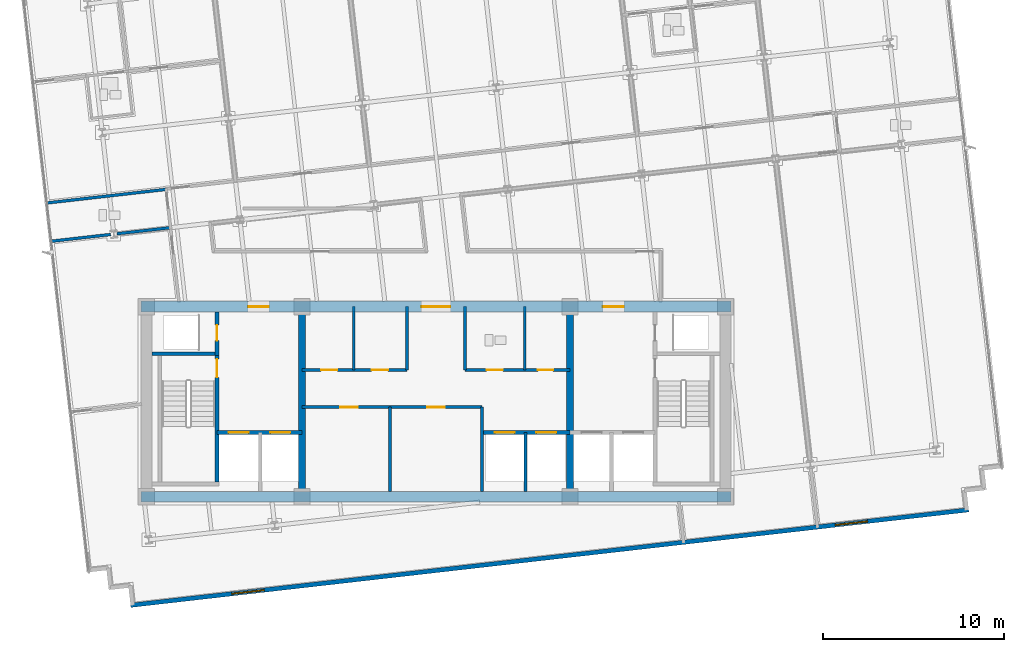
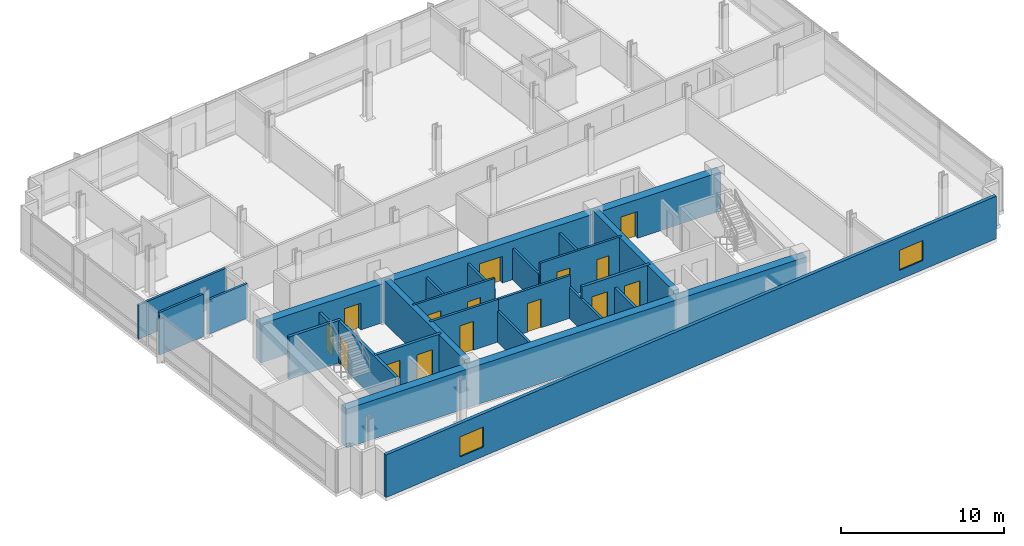
# One storey, part 8 of 15: 24 walls, 15 doors, 2 windows, 17 openings.
"""IFC4 building model written with IfcOpenShell, lengths in metres."""

from ifc_helpers import new_model, si_unit, direction, frame, frame_2d, origin, place, context, subcontext, project, spatial, rectangle, extrude, material, layer, layer_set, type_object, element, fill, save


model = new_model("IFC4")

# Units and contexts
model_context = context("Model", 3, precision=1e-05, world=origin(), true_north=direction((0.0, 1.0)))
body_context = subcontext(model_context, "Body", "Model", "MODEL_VIEW")
ifc_project = project(units=[si_unit("LENGTHUNIT", "METRE"), si_unit("AREAUNIT", "SQUARE_METRE"), si_unit("VOLUMEUNIT", "CUBIC_METRE"), si_unit("PLANEANGLEUNIT", "RADIAN"), si_unit("MASSUNIT", "GRAM", prefix="KILO")], contexts=[model_context])

# Site, building, storey
site_placement = place(None, origin())
site = spatial("IfcSite", under=ifc_project, at=site_placement, CompositionType="ELEMENT")
building_placement = place(site_placement, origin())
building = spatial("IfcBuilding", under=site, at=building_placement, Name="Solmavex Isthmus Hotel", CompositionType="ELEMENT")
storey_placement = place(building_placement, frame((0.0, 0.0, 229.64990234375)))
storey = spatial("IfcBuildingStorey", under=building, at=storey_placement, Name="L62", CompositionType="ELEMENT", Elevation=229.64990234375)

# Wall, openings, windows
ifc_material_1 = material(Name="Precast Concrete C40/50", Category="concrete")
ifc_layer_1 = layer(ifc_material_1, 0.25)
ifc_layer_set_1 = layer_set([ifc_layer_1], Name="Precast Concrete C40/50")
wall_type_1 = type_object("IfcWallType", Name="EW-TWR-250", PredefinedType="STANDARD", material=ifc_layer_set_1)
wall_1_placement = place(storey_placement, frame((-16.86962890625, -18.99951171875, 0.0), z_axis=(0.0, 0.0, 1.0), x_axis=(0.993571588328, 0.113205560228, 0.0)))
wall_1 = element("IfcWall", 1, at=wall_1_placement, inside=storey, type_object=wall_type_1, Name="Tower Rear South Facade Wall L62", PredefinedType="STANDARD", context=body_context, shape_type="SweptSolid", body=[
    extrude(rectangle(XDim=46.60009765625, YDim=0.239990234375, at=frame_2d((23.300048828125, 0.0))), origin(), (0.0, 0.0, 1.0), 3.190185546875),
])
opening_1_placement = place(wall_1_placement, frame((5.6240234375, 0.0, 0.699951171875)))
opening_1 = element("IfcOpeningElement", 2, at=opening_1_placement, cuts=wall_1, Name="Opening WN-02", PredefinedType="OPENING", context=body_context, shape_type="SweptSolid", body=[
    extrude(rectangle(XDim=1.800048828125, YDim=1.5, at=frame_2d((0.89990234375, 0.75))), frame((0.0, 0.1298828125, 0.0), z_axis=(0.0, -1.0, 0.0), x_axis=(1.0, 0.0, 0.0)), (0.0, 0.0, 1.0), 0.260009765625),
])
opening_2_placement = place(wall_1_placement, frame((39.176025390625, 0.0, 0.699951171875)))
opening_2 = element("IfcOpeningElement", 3, at=opening_2_placement, cuts=wall_1, Name="Opening WN-02", PredefinedType="OPENING", context=body_context, shape_type="SweptSolid", body=[
    extrude(rectangle(XDim=1.800048828125, YDim=1.5, at=frame_2d((0.89990234375, 0.75))), frame((0.0, 0.1298828125, 0.0), z_axis=(0.0, -1.0, 0.0), x_axis=(1.0, 0.0, 0.0)), (0.0, 0.0, 1.0), 0.260009765625),
])
ifc_material_2 = material(Name="Clear low-E laminated glass", Category="glass")
window_type = type_object("IfcWindowType", Name="WIN-TWR-1800", PartitioningType="SINGLE_PANEL", PredefinedType="WINDOW", material=ifc_material_2)
window_1_placement = place(opening_1_placement, origin())
window_1 = element("IfcWindow", 4, at=window_1_placement, inside=storey, type_object=window_type, Name="South Facade Vision Window L62-S1", OverallHeight=1.5, OverallWidth=1.800048828125, PartitioningType="SINGLE_PANEL", PredefinedType="WINDOW", context=body_context, shape_type="SweptSolid", body=[
    extrude(rectangle(XDim=1.800048828125, YDim=1.5, at=frame_2d((0.89990234375, 0.75))), frame((0.0, 0.030029296875, 0.0), z_axis=(0.0, -1.0, 0.0), x_axis=(1.0, 0.0, 0.0)), (0.0, 0.0, 1.0), 0.06005859375),
])
fill(opening_1, window_1)
window_2_placement = place(opening_2_placement, origin())
window_2 = element("IfcWindow", 5, at=window_2_placement, inside=storey, type_object=window_type, Name="South Facade Vision Window L62-S2", OverallHeight=1.5, OverallWidth=1.800048828125, PartitioningType="SINGLE_PANEL", PredefinedType="WINDOW", context=body_context, shape_type="SweptSolid", body=[
    extrude(rectangle(XDim=1.800048828125, YDim=1.5, at=frame_2d((0.89990234375, 0.75))), frame((0.0, 0.030029296875, 0.0), z_axis=(0.0, -1.0, 0.0), x_axis=(1.0, 0.0, 0.0)), (0.0, 0.0, 1.0), 0.06005859375),
])
fill(opening_2, window_2)

# Wall, opening, door
ifc_material_3 = material(Name="Gypsum plasterboard lining", Category="gypsum")
ifc_layer_2 = layer(ifc_material_3, 0.159912109375)
ifc_layer_set_2 = layer_set([ifc_layer_2], Name="Gypsum plasterboard lining")
wall_type_2 = type_object("IfcWallType", Name="IW-COMP-160", PredefinedType="PARTITIONING", material=ifc_layer_set_2)
wall_2_placement = place(storey_placement, frame((-7.39990234375, -8.050048828125, 0.0), z_axis=(0.0, 0.0, 1.0), x_axis=(1.0, 0.0, 0.0)))
wall_2 = element("IfcWall", 6, at=wall_2_placement, inside=storey, type_object=wall_type_2, Name="Interior Partition Wall W-L62-REC-PLL-N", PredefinedType="PARTITIONING", context=body_context, shape_type="SweptSolid", body=[
    extrude(rectangle(XDim=4.849853515625, YDim=0.159912109375, at=frame_2d((2.4248046875, 0.0))), origin(), (0.0, 0.0, 1.0), 3.190185546875),
])
opening_3_placement = place(wall_2_placement, frame((2.125, 0.0, 0.0)))
opening_3 = element("IfcOpeningElement", 7, at=opening_3_placement, cuts=wall_2, Name="Opening ID-C095", PredefinedType="OPENING", context=body_context, shape_type="SweptSolid", body=[
    extrude(rectangle(XDim=0.949951171875, YDim=2.14990234375, at=frame_2d((0.47509765625, 1.074951171875))), frame((0.0, 0.08984375, 0.0), z_axis=(0.0, -1.0, 0.0), x_axis=(1.0, 0.0, 0.0)), (0.0, 0.0, 1.0), 0.179931640625),
])
ifc_material_4 = material(Name="Hardwood timber", Category="wood")
door_type_1 = type_object("IfcDoorType", Name="IDR-FD60-0950", OperationType="NOTDEFINED", PredefinedType="DOOR", material=ifc_material_4)
door_1_placement = place(opening_3_placement, origin())
door_1 = element("IfcDoor", 8, at=door_1_placement, inside=storey, type_object=door_type_1, Name="Linen Reserve Door L62", OperationType="SINGLE_SWING_LEFT", OverallHeight=2.14990234375, OverallWidth=0.949951171875, PredefinedType="DOOR", context=body_context, shape_type="SweptSolid", body=[
    extrude(rectangle(XDim=0.949951171875, YDim=2.14990234375, at=frame_2d((0.47509765625, 1.074951171875))), frame((0.0, 0.02490234375, 0.0), z_axis=(0.0, -1.0, 0.0), x_axis=(1.0, 0.0, 0.0)), (0.0, 0.0, 1.0), 0.050048828125),
])
fill(opening_3, door_1)

# Wall
wall_3_placement = place(storey_placement, frame((-2.550048828125, -12.699951171875, 0.0), z_axis=(0.0, 0.0, 1.0), x_axis=(0.0, 1.0, 0.0)))
element("IfcWall", 9, at=wall_3_placement, inside=storey, type_object=wall_type_2, Name="Interior Partition Wall W-L62-REC-PLL-E", PredefinedType="PARTITIONING", context=body_context, shape_type="SweptSolid", body=[
    extrude(rectangle(XDim=4.64990234375, YDim=0.159912109375, at=frame_2d((2.324951171875, 0.0))), origin(), (0.0, 0.0, 1.0), 2.3251953125),
])

# Wall, opening, door
wall_4_placement = place(storey_placement, frame((-2.550048828125, -8.050048828125, 0.0), z_axis=(0.0, 0.0, 1.0), x_axis=(1.0, 0.0, 0.0)))
wall_4 = element("IfcWall", 10, at=wall_4_placement, inside=storey, type_object=wall_type_2, Name="Interior Partition Wall W-L62-REC-PLM-N", PredefinedType="PARTITIONING", context=body_context, shape_type="SweptSolid", body=[
    extrude(rectangle(XDim=5.10009765625, YDim=0.159912109375, at=frame_2d((2.550048828125, 0.0))), origin(), (0.0, 0.0, 1.0), 3.190185546875),
])
opening_4_placement = place(wall_4_placement, frame((2.074951171875, 0.0, 0.0)))
opening_4 = element("IfcOpeningElement", 11, at=opening_4_placement, cuts=wall_4, Name="Opening ID-C095", PredefinedType="OPENING", context=body_context, shape_type="SweptSolid", body=[
    extrude(rectangle(XDim=0.949951171875, YDim=2.14990234375, at=frame_2d((0.47509765625, 1.074951171875))), frame((0.0, 0.08984375, 0.0), z_axis=(0.0, -1.0, 0.0), x_axis=(1.0, 0.0, 0.0)), (0.0, 0.0, 1.0), 0.179931640625),
])
door_2_placement = place(opening_4_placement, origin())
door_2 = element("IfcDoor", 12, at=door_2_placement, inside=storey, type_object=door_type_1, Name="Butler Store Door L62", OperationType="SINGLE_SWING_RIGHT", OverallHeight=2.14990234375, OverallWidth=0.949951171875, PredefinedType="DOOR", context=body_context, shape_type="SweptSolid", body=[
    extrude(rectangle(XDim=0.949951171875, YDim=2.14990234375, at=frame_2d((0.47509765625, 1.074951171875))), frame((0.0, 0.02490234375, 0.0), z_axis=(0.0, -1.0, 0.0), x_axis=(1.0, 0.0, 0.0)), (0.0, 0.0, 1.0), 0.050048828125),
])
fill(opening_4, door_2)

# Walls
wall_5_placement = place(storey_placement, frame((2.550048828125, -12.699951171875, 0.0), z_axis=(0.0, 0.0, 1.0), x_axis=(0.0, 1.0, 0.0)))
element("IfcWall", 13, at=wall_5_placement, inside=storey, type_object=wall_type_2, Name="Interior Partition Wall W-L62-REC-PLM-E", PredefinedType="PARTITIONING", context=body_context, shape_type="SweptSolid", body=[
    extrude(rectangle(XDim=4.64990234375, YDim=0.159912109375, at=frame_2d((2.324951171875, 0.0))), origin(), (0.0, 0.0, 1.0), 2.3251953125),
])
wall_6_placement = place(storey_placement, frame((-14.86865234375, 3.98486328125, 0.0), z_axis=(0.0, 0.0, 1.0), x_axis=(-0.993568743641, -0.113230524415, 0.0)))
element("IfcWall", 14, at=wall_6_placement, inside=storey, type_object=wall_type_2, Name="Interior Partition Wall W-L62-P029", PredefinedType="PARTITIONING", context=body_context, shape_type="SweptSolid", body=[
    extrude(rectangle(XDim=6.7099609375, YDim=0.159912109375, at=frame_2d((3.35498046875, 0.0))), origin(), (0.0, 0.0, 1.0), 2.5576171875),
])
wall_7_placement = place(storey_placement, frame((-17.97216796875, 1.4873046875, 0.0), z_axis=(0.0, 0.0, 1.0), x_axis=(-0.993575433752, -0.113171804991, 0.0)))
element("IfcWall", 15, at=wall_7_placement, inside=storey, type_object=wall_type_2, Name="Interior Partition Wall W-L62-P053", PredefinedType="PARTITIONING", context=body_context, shape_type="SweptSolid", body=[
    extrude(rectangle(XDim=3.34375, YDim=0.159912109375, at=frame_2d((1.671875, 0.0))), origin(), (0.0, 0.0, 1.0), 3.190185546875),
])
wall_8_placement = place(storey_placement, frame((-14.62744140625, 1.868408203125, 0.0), z_axis=(0.0, 0.0, 1.0), x_axis=(-0.993574646464, -0.113178716659, 0.0)))
element("IfcWall", 16, at=wall_8_placement, inside=storey, type_object=wall_type_2, Name="Interior Partition Wall W-L62-P054", PredefinedType="PARTITIONING", context=body_context, shape_type="SweptSolid", body=[
    extrude(rectangle(XDim=3.013427734375, YDim=0.159912109375, at=frame_2d((1.5068359375, 0.0))), origin(), (0.0, 0.0, 1.0), 2.572509765625),
])

# Wall, openings, doors
ifc_layer_3 = layer(ifc_material_3, 0.14990234375)
ifc_layer_set_3 = layer_set([ifc_layer_3], Name="Gypsum plasterboard lining")
wall_type_3 = type_object("IfcWallType", Name="IW-CORR-150", PredefinedType="PARTITIONING", material=ifc_layer_set_3)
wall_9_placement = place(storey_placement, frame((-7.39990234375, -6.0, 0.0), z_axis=(0.0, 0.0, 1.0), x_axis=(1.0, 0.0, 0.0)))
wall_9 = element("IfcWall", 17, at=wall_9_placement, inside=storey, type_object=wall_type_3, Name="Interior Partition Wall W-L62-BOH-WS", PredefinedType="PARTITIONING", context=body_context, shape_type="SweptSolid", body=[
    extrude(rectangle(XDim=5.7998046875, YDim=0.14990234375, at=frame_2d((2.89990234375, 0.0))), origin(), (0.0, 0.0, 1.0), 3.190185546875),
])
opening_5_placement = place(wall_9_placement, frame((1.050048828125, 0.0, 0.0)))
opening_5 = element("IfcOpeningElement", 18, at=opening_5_placement, cuts=wall_9, Name="Opening ID-C090", PredefinedType="OPENING", context=body_context, shape_type="SweptSolid", body=[
    extrude(rectangle(XDim=0.89990234375, YDim=2.10009765625, at=frame_2d((0.449951171875, 1.050048828125))), frame((0.0, 0.0849609375, 0.0), z_axis=(0.0, -1.0, 0.0), x_axis=(1.0, 0.0, 0.0)), (0.0, 0.0, 1.0), 0.169921875),
])
opening_6_placement = place(wall_9_placement, frame((3.85009765625, 0.0, 0.0)))
opening_6 = element("IfcOpeningElement", 19, at=opening_6_placement, cuts=wall_9, Name="Opening ID-C090", PredefinedType="OPENING", context=body_context, shape_type="SweptSolid", body=[
    extrude(rectangle(XDim=0.89990234375, YDim=2.10009765625, at=frame_2d((0.449951171875, 1.050048828125))), frame((0.0, 0.0849609375, 0.0), z_axis=(0.0, -1.0, 0.0), x_axis=(1.0, 0.0, 0.0)), (0.0, 0.0, 1.0), 0.169921875),
])
door_type_2 = type_object("IfcDoorType", Name="IDR-FD60-0900", OperationType="NOTDEFINED", PredefinedType="DOOR", material=ifc_material_4)
door_3_placement = place(opening_5_placement, frame((0.89990234375, 0.0, 0.0), z_axis=(0.0, 0.0, 1.0), x_axis=(-1.0, 0.0, 0.0)))
door_3 = element("IfcDoor", 20, at=door_3_placement, inside=storey, type_object=door_type_2, Name="Linen Room Door L62", OperationType="SINGLE_SWING_LEFT", OverallHeight=2.10009765625, OverallWidth=0.89990234375, PredefinedType="DOOR", context=body_context, shape_type="SweptSolid", body=[
    extrude(rectangle(XDim=0.89990234375, YDim=2.10009765625, at=frame_2d((0.449951171875, 1.050048828125))), frame((0.0, 0.02490234375, 0.0), z_axis=(0.0, -1.0, 0.0), x_axis=(1.0, 0.0, 0.0)), (0.0, 0.0, 1.0), 0.050048828125),
])
fill(opening_5, door_3)
door_4_placement = place(opening_6_placement, frame((0.89990234375, 0.0, 0.0), z_axis=(0.0, 0.0, 1.0), x_axis=(-1.0, 0.0, 0.0)))
door_4 = element("IfcDoor", 21, at=door_4_placement, inside=storey, type_object=door_type_2, Name="Ice Pantry Door L62", OperationType="SINGLE_SWING_RIGHT", OverallHeight=2.10009765625, OverallWidth=0.89990234375, PredefinedType="DOOR", context=body_context, shape_type="SweptSolid", body=[
    extrude(rectangle(XDim=0.89990234375, YDim=2.10009765625, at=frame_2d((0.449951171875, 1.050048828125))), frame((0.0, 0.02490234375, 0.0), z_axis=(0.0, -1.0, 0.0), x_axis=(1.0, 0.0, 0.0)), (0.0, 0.0, 1.0), 0.050048828125),
])
fill(opening_6, door_4)

# Wall
wall_10_placement = place(storey_placement, frame((-1.60009765625, -6.0, 0.0), z_axis=(0.0, 0.0, 1.0), x_axis=(0.0, 1.0, 0.0)))
element("IfcWall", 22, at=wall_10_placement, inside=storey, type_object=wall_type_3, Name="Interior Partition Wall W-L62-BOH-WE", PredefinedType="PARTITIONING", context=body_context, shape_type="SweptSolid", body=[
    extrude(rectangle(XDim=3.5, YDim=0.14990234375, at=frame_2d((1.75, 0.0))), origin(), (0.0, 0.0, 1.0), 2.3251953125),
])

# Wall, openings, doors
wall_11_placement = place(storey_placement, frame((1.60009765625, -6.0, 0.0), z_axis=(0.0, 0.0, 1.0), x_axis=(1.0, 0.0, 0.0)))
wall_11 = element("IfcWall", 23, at=wall_11_placement, inside=storey, type_object=wall_type_3, Name="Interior Partition Wall W-L62-BOH-ES", PredefinedType="PARTITIONING", context=body_context, shape_type="SweptSolid", body=[
    extrude(rectangle(XDim=5.7998046875, YDim=0.14990234375, at=frame_2d((2.89990234375, 0.0))), origin(), (0.0, 0.0, 1.0), 3.190185546875),
])
opening_7_placement = place(wall_11_placement, frame((1.199951171875, 0.0, 0.0)))
opening_7 = element("IfcOpeningElement", 24, at=opening_7_placement, cuts=wall_11, Name="Opening ID-C090", PredefinedType="OPENING", context=body_context, shape_type="SweptSolid", body=[
    extrude(rectangle(XDim=0.89990234375, YDim=2.10009765625, at=frame_2d((0.449951171875, 1.050048828125))), frame((0.0, 0.0849609375, 0.0), z_axis=(0.0, -1.0, 0.0), x_axis=(1.0, 0.0, 0.0)), (0.0, 0.0, 1.0), 0.169921875),
])
opening_8_placement = place(wall_11_placement, frame((4.02490234375, 0.0, 0.0)))
opening_8 = element("IfcOpeningElement", 25, at=opening_8_placement, cuts=wall_11, Name="Opening ID-R085", PredefinedType="OPENING", context=body_context, shape_type="SweptSolid", body=[
    extrude(rectangle(XDim=0.85009765625, YDim=2.050048828125, at=frame_2d((0.425048828125, 1.02490234375))), frame((0.0, 0.0849609375, 0.0), z_axis=(0.0, -1.0, 0.0), x_axis=(1.0, 0.0, 0.0)), (0.0, 0.0, 1.0), 0.169921875),
])
ifc_material_5 = material(Name="Steel ASTM A500 Grade C", Category="steel")
door_type_3 = type_object("IfcDoorType", Name="IDR-FD60-0850", OperationType="NOTDEFINED", PredefinedType="DOOR", material=ifc_material_5)
door_5_placement = place(opening_8_placement, frame((0.85009765625, 0.0, 0.0), z_axis=(0.0, 0.0, 1.0), x_axis=(-1.0, 0.0, 0.0)))
door_5 = element("IfcDoor", 26, at=door_5_placement, inside=storey, type_object=door_type_3, Name="IT Room Door L62", OperationType="SINGLE_SWING_RIGHT", OverallHeight=2.050048828125, OverallWidth=0.85009765625, PredefinedType="DOOR", context=body_context, shape_type="SweptSolid", body=[
    extrude(rectangle(XDim=0.85009765625, YDim=2.050048828125, at=frame_2d((0.425048828125, 1.02490234375))), frame((0.0, 0.02490234375, 0.0), z_axis=(0.0, -1.0, 0.0), x_axis=(1.0, 0.0, 0.0)), (0.0, 0.0, 1.0), 0.050048828125),
])
fill(opening_8, door_5)
door_6_placement = place(opening_7_placement, frame((0.89990234375, 0.0, 0.0), z_axis=(0.0, 0.0, 1.0), x_axis=(-1.0, 0.0, 0.0)))
door_6 = element("IfcDoor", 27, at=door_6_placement, inside=storey, type_object=door_type_2, Name="Staff Restroom Door L62", OperationType="SINGLE_SWING_LEFT", OverallHeight=2.10009765625, OverallWidth=0.89990234375, PredefinedType="DOOR", context=body_context, shape_type="SweptSolid", body=[
    extrude(rectangle(XDim=0.89990234375, YDim=2.10009765625, at=frame_2d((0.449951171875, 1.050048828125))), frame((0.0, 0.02490234375, 0.0), z_axis=(0.0, -1.0, 0.0), x_axis=(1.0, 0.0, 0.0)), (0.0, 0.0, 1.0), 0.050048828125),
])
fill(opening_7, door_6)

# Walls
wall_12_placement = place(storey_placement, frame((1.60009765625, -6.0, 0.0), z_axis=(0.0, 0.0, 1.0), x_axis=(0.0, 1.0, 0.0)))
element("IfcWall", 28, at=wall_12_placement, inside=storey, type_object=wall_type_3, Name="Interior Partition Wall W-L62-BOH-EW", PredefinedType="PARTITIONING", context=body_context, shape_type="SweptSolid", body=[
    extrude(rectangle(XDim=3.5, YDim=0.14990234375, at=frame_2d((1.75, 0.0))), origin(), (0.0, 0.0, 1.0), 2.3251953125),
])
ifc_layer_4 = layer(ifc_material_3, 0.1201171875)
ifc_layer_set_4 = layer_set([ifc_layer_4], Name="Gypsum plasterboard lining")
wall_type_4 = type_object("IfcWallType", Name="IW-PART-120", PredefinedType="PARTITIONING", material=ifc_layer_set_4)
for number, where, z_axis, x_axis, name in (
    (29, (-4.550048828125, -6.0, 0.0), (0.0, 0.0, 1.0), (0.0, 1.0, 0.0), "Interior Partition Wall W-L62-BOH-WM2"),
    (30, (4.89990234375, -6.0, 0.0), (0.0, 0.0, 1.0), (0.0, 1.0, 0.0), "Interior Partition Wall W-L62-BOH-EM2"),
):
    element("IfcWall", number, at=place(storey_placement, frame(where, z_axis=z_axis, x_axis=x_axis)), inside=storey, type_object=wall_type_4, Name=name, PredefinedType="PARTITIONING", context=body_context, shape_type="SweptSolid", body=[
        extrude(rectangle(XDim=3.5, YDim=0.14990234375, at=frame_2d((1.75, 0.0))), origin(), (0.0, 0.0, 1.0), 2.3251953125),
    ])
ifc_material_6 = material(Name="Concrete C40/50", Category="concrete")
ifc_layer_5 = layer(ifc_material_6, 0.179931640625)
ifc_layer_set_5 = layer_set([ifc_layer_5], Name="Concrete C40/50")
wall_type_5 = type_object("IfcWallType", Name="IW-SHAFT-180", PredefinedType="PARTITIONING", material=ifc_layer_set_5)
wall_13_placement = place(storey_placement, frame((4.949951171875, -12.699951171875, 0.0), z_axis=(0.0, 0.0, 1.0), x_axis=(0.0, 1.0, 0.0)))
element("IfcWall", 31, at=wall_13_placement, inside=storey, type_object=wall_type_5, Name="Interior Partition Wall W-L62-SH-PLH-M", PredefinedType="PARTITIONING", context=body_context, shape_type="SweptSolid", body=[
    extrude(rectangle(XDim=3.25, YDim=0.179931640625, at=frame_2d((1.625, 0.0))), origin(), (0.0, 0.0, 1.0), 2.3251953125),
])

# Wall, opening, door
ifc_layer_6 = layer(ifc_material_6, 0.199951171875)
ifc_layer_set_6 = layer_set([ifc_layer_6], Name="Concrete C40/50")
wall_type_6 = type_object("IfcWallType", Name="IW-SHAFT-200", PredefinedType="PARTITIONING", material=ifc_layer_set_6)
wall_14_placement = place(storey_placement, frame((-12.10009765625, -5.199951171875, 0.0), z_axis=(0.0, 0.0, 1.0), x_axis=(0.0, 1.0, 0.0)))
wall_14 = element("IfcWall", 32, at=wall_14_placement, inside=storey, type_object=wall_type_6, Name="Interior Partition Wall W-L62-RSW-E", PredefinedType="PARTITIONING", context=body_context, shape_type="SweptSolid", body=[
    extrude(rectangle(XDim=2.39990234375, YDim=0.199951171875, at=frame_2d((1.199951171875, 0.0))), origin(), (0.0, 0.0, 1.0), 2.3251953125),
])
opening_9_placement = place(wall_14_placement, frame((0.824951171875, 0.0, 0.0)))
opening_9 = element("IfcOpeningElement", 33, at=opening_9_placement, cuts=wall_14, Name="Opening ID-R085", PredefinedType="OPENING", context=body_context, shape_type="SweptSolid", body=[
    extrude(rectangle(XDim=0.85009765625, YDim=2.050048828125, at=frame_2d((0.425048828125, 1.02490234375))), frame((0.0, 0.10986328125, 0.0), z_axis=(0.0, -1.0, 0.0), x_axis=(1.0, 0.0, 0.0)), (0.0, 0.0, 1.0), 0.219970703125),
])
door_7_placement = place(opening_9_placement, origin())
door_7 = element("IfcDoor", 34, at=door_7_placement, inside=storey, type_object=door_type_3, Name="Electrical Riser Door L62", OperationType="SINGLE_SWING_RIGHT", OverallHeight=2.050048828125, OverallWidth=0.85009765625, PredefinedType="DOOR", context=body_context, shape_type="SweptSolid", body=[
    extrude(rectangle(XDim=0.85009765625, YDim=2.050048828125, at=frame_2d((0.425048828125, 1.02490234375))), frame((0.0, 0.02490234375, 0.0), z_axis=(0.0, -1.0, 0.0), x_axis=(1.0, 0.0, 0.0)), (0.0, 0.0, 1.0), 0.050048828125),
])
fill(opening_9, door_7)

# Wall, openings, doors
wall_15_placement = place(storey_placement, frame((-12.10009765625, -9.449951171875, 0.0), z_axis=(0.0, 0.0, 1.0), x_axis=(1.0, 0.0, 0.0)))
wall_15 = element("IfcWall", 35, at=wall_15_placement, inside=storey, type_object=wall_type_6, Name="Interior Partition Wall W-L62-FFLW-S", PredefinedType="PARTITIONING", context=body_context, shape_type="SweptSolid", body=[
    extrude(rectangle(XDim=4.7001953125, YDim=0.199951171875, at=frame_2d((2.35009765625, 0.0))), origin(), (0.0, 0.0, 1.0), 3.190185546875),
])
opening_10_placement = place(wall_15_placement, frame((0.64990234375, 0.0, 0.0)))
opening_10 = element("IfcOpeningElement", 36, at=opening_10_placement, cuts=wall_15, Name="Opening LD-FF", PredefinedType="OPENING", context=body_context, shape_type="SweptSolid", body=[
    extrude(rectangle(XDim=1.10009765625, YDim=2.199951171875, at=frame_2d((0.550048828125, 1.10009765625))), frame((0.0, 0.10986328125, 0.0), z_axis=(0.0, -1.0, 0.0), x_axis=(1.0, 0.0, 0.0)), (0.0, 0.0, 1.0), 0.219970703125),
])
opening_11_placement = place(wall_15_placement, frame((2.949951171875, 0.0, 0.0)))
opening_11 = element("IfcOpeningElement", 37, at=opening_11_placement, cuts=wall_15, Name="Opening LD-SV", PredefinedType="OPENING", context=body_context, shape_type="SweptSolid", body=[
    extrude(rectangle(XDim=1.10009765625, YDim=2.199951171875, at=frame_2d((0.550048828125, 1.10009765625))), frame((0.0, 0.10986328125, 0.0), z_axis=(0.0, -1.0, 0.0), x_axis=(1.0, 0.0, 0.0)), (0.0, 0.0, 1.0), 0.219970703125),
])
ifc_material_7 = material(Name="Stainless steel 316", Category="steel")
door_type_4 = type_object("IfcDoorType", Name="LDR-FF-1100", OperationType="NOTDEFINED", PredefinedType="DOOR", material=ifc_material_7)
door_8_placement = place(opening_10_placement, origin())
door_8 = element("IfcDoor", 38, at=door_8_placement, inside=storey, type_object=door_type_4, Name="Lift Landing Door FFL-1 L62", OperationType="SLIDING_TO_LEFT", OverallHeight=2.199951171875, OverallWidth=1.10009765625, PredefinedType="DOOR", context=body_context, shape_type="SweptSolid", body=[
    extrude(rectangle(XDim=1.10009765625, YDim=2.199951171875, at=frame_2d((0.550048828125, 1.10009765625))), frame((0.0, 0.02490234375, 0.0), z_axis=(0.0, -1.0, 0.0), x_axis=(1.0, 0.0, 0.0)), (0.0, 0.0, 1.0), 0.050048828125),
])
fill(opening_10, door_8)
door_type_5 = type_object("IfcDoorType", Name="LDR-SV-1100", OperationType="NOTDEFINED", PredefinedType="DOOR", material=ifc_material_7)
door_9_placement = place(opening_11_placement, origin())
door_9 = element("IfcDoor", 39, at=door_9_placement, inside=storey, type_object=door_type_5, Name="Lift Landing Door SVL-1 L62", OperationType="SLIDING_TO_RIGHT", OverallHeight=2.199951171875, OverallWidth=1.10009765625, PredefinedType="DOOR", context=body_context, shape_type="SweptSolid", body=[
    extrude(rectangle(XDim=1.10009765625, YDim=2.199951171875, at=frame_2d((0.550048828125, 1.10009765625))), frame((0.0, 0.02490234375, 0.0), z_axis=(0.0, -1.0, 0.0), x_axis=(1.0, 0.0, 0.0)), (0.0, 0.0, 1.0), 0.050048828125),
])
fill(opening_11, door_9)

wall_16_placement = place(storey_placement, frame((2.550048828125, -9.449951171875, 0.0), z_axis=(0.0, 0.0, 1.0), x_axis=(1.0, 0.0, 0.0)))
wall_16 = element("IfcWall", 40, at=wall_16_placement, inside=storey, type_object=wall_type_6, Name="Interior Partition Wall W-L62-SH-PLH", PredefinedType="PARTITIONING", context=body_context, shape_type="SweptSolid", body=[
    extrude(rectangle(XDim=4.849853515625, YDim=0.199951171875, at=frame_2d((2.4248046875, 0.0))), origin(), (0.0, 0.0, 1.0), 3.190185546875),
])
opening_12_placement = place(wall_16_placement, frame((0.699951171875, 0.0, 0.0)))
opening_12 = element("IfcOpeningElement", 41, at=opening_12_placement, cuts=wall_16, Name="Opening LD-PL", PredefinedType="OPENING", context=body_context, shape_type="SweptSolid", body=[
    extrude(rectangle(XDim=1.10009765625, YDim=2.199951171875, at=frame_2d((0.550048828125, 1.10009765625))), frame((0.0, 0.10986328125, 0.0), z_axis=(0.0, -1.0, 0.0), x_axis=(1.0, 0.0, 0.0)), (0.0, 0.0, 1.0), 0.219970703125),
])
opening_13_placement = place(wall_16_placement, frame((3.0, 0.0, 0.0)))
opening_13 = element("IfcOpeningElement", 42, at=opening_13_placement, cuts=wall_16, Name="Opening LD-PL", PredefinedType="OPENING", context=body_context, shape_type="SweptSolid", body=[
    extrude(rectangle(XDim=1.10009765625, YDim=2.199951171875, at=frame_2d((0.550048828125, 1.10009765625))), frame((0.0, 0.10986328125, 0.0), z_axis=(0.0, -1.0, 0.0), x_axis=(1.0, 0.0, 0.0)), (0.0, 0.0, 1.0), 0.219970703125),
])
door_type_6 = type_object("IfcDoorType", Name="LDR-PL-1100", OperationType="NOTDEFINED", PredefinedType="DOOR", material=ifc_material_7)
door_10_placement = place(opening_12_placement, origin())
door_10 = element("IfcDoor", 43, at=door_10_placement, inside=storey, type_object=door_type_6, Name="Lift Landing Door PLH1 L62", OperationType="SLIDING_TO_LEFT", OverallHeight=2.199951171875, OverallWidth=1.10009765625, PredefinedType="DOOR", context=body_context, shape_type="SweptSolid", body=[
    extrude(rectangle(XDim=1.10009765625, YDim=2.199951171875, at=frame_2d((0.550048828125, 1.10009765625))), frame((0.0, 0.02490234375, 0.0), z_axis=(0.0, -1.0, 0.0), x_axis=(1.0, 0.0, 0.0)), (0.0, 0.0, 1.0), 0.050048828125),
])
fill(opening_12, door_10)
door_11_placement = place(opening_13_placement, origin())
door_11 = element("IfcDoor", 44, at=door_11_placement, inside=storey, type_object=door_type_6, Name="Lift Landing Door PLH2 L62", OperationType="SLIDING_TO_LEFT", OverallHeight=2.199951171875, OverallWidth=1.10009765625, PredefinedType="DOOR", context=body_context, shape_type="SweptSolid", body=[
    extrude(rectangle(XDim=1.10009765625, YDim=2.199951171875, at=frame_2d((0.550048828125, 1.10009765625))), frame((0.0, 0.02490234375, 0.0), z_axis=(0.0, -1.0, 0.0), x_axis=(1.0, 0.0, 0.0)), (0.0, 0.0, 1.0), 0.050048828125),
])
fill(opening_13, door_11)

# Walls
ifc_material_8 = material(Name="Concrete C50/60", Category="concrete")
ifc_layer_7 = layer(ifc_material_8, 0.39990234375)
ifc_layer_set_7 = layer_set([ifc_layer_7], Name="Concrete C50/60")
wall_type_7 = type_object("IfcWallType", Name="WALL-CW-400H", PredefinedType="SHEAR", material=ifc_layer_set_7)
for number, where, z_axis, x_axis, name in (
    (45, (-7.39990234375, -12.699951171875, 0.0), (0.0, 0.0, 1.0), (0.0, 1.0, 0.0), "Core Cross Shear Wall C1 L62"),
    (46, (7.39990234375, -12.699951171875, 0.0), (0.0, 0.0, 1.0), (0.0, 1.0, 0.0), "Core Cross Shear Wall C2 L62"),
):
    element("IfcWall", number, at=place(storey_placement, frame(where, z_axis=z_axis, x_axis=x_axis)), inside=storey, type_object=wall_type_7, Name=name, PredefinedType="SHEAR", context=body_context, shape_type="SweptSolid", body=[
        extrude(rectangle(XDim=9.89990234375, YDim=0.39990234375, at=frame_2d((4.949951171875, 0.0))), origin(), (0.0, 0.0, 1.0), 3.190185546875),
    ])
ifc_layer_8 = layer(ifc_material_8, 0.60009765625)
ifc_layer_set_8 = layer_set([ifc_layer_8], Name="Concrete C50/60")
wall_type_8 = type_object("IfcWallType", Name="WALL-CW-600", PredefinedType="SHEAR", material=ifc_layer_set_8)
wall_17_placement = place(storey_placement, frame((-16.300048828125, -13.0, 0.0), z_axis=(0.0, 0.0, 1.0), x_axis=(1.0, 0.0, 0.0)))
element("IfcWall", 47, at=wall_17_placement, inside=storey, type_object=wall_type_8, Name="Core Shear Wall South L62", PredefinedType="SHEAR", context=body_context, shape_type="SweptSolid", body=[
    extrude(rectangle(XDim=32.60009765625, YDim=0.60009765625, at=frame_2d((16.300048828125, 0.0))), origin(), (0.0, 0.0, 1.0), 2.91015625),
])

# Wall, openings, doors
wall_18_placement = place(storey_placement, frame((-16.300048828125, -2.5, 0.0), z_axis=(0.0, 0.0, 1.0), x_axis=(1.0, 0.0, 0.0)))
wall_18 = element("IfcWall", 48, at=wall_18_placement, inside=storey, type_object=wall_type_8, Name="Core Shear Wall North L62", PredefinedType="SHEAR", context=body_context, shape_type="SweptSolid", body=[
    extrude(rectangle(XDim=32.60009765625, YDim=0.60009765625, at=frame_2d((16.300048828125, 0.0))), origin(), (0.0, 0.0, 1.0), 2.91015625),
])
opening_14_placement = place(wall_18_placement, frame((5.925048828125, 0.0, 0.0)))
opening_14 = element("IfcOpeningElement", 49, at=opening_14_placement, cuts=wall_18, Name="Opening ID-F915", PredefinedType="OPENING", context=body_context, shape_type="SweptSolid", body=[
    extrude(rectangle(XDim=1.14990234375, YDim=2.0, at=frame_2d((0.574951171875, 1.0))), frame((0.0, 0.31005859375, 0.0), z_axis=(0.0, -1.0, 0.0), x_axis=(1.0, 0.0, 0.0)), (0.0, 0.0, 1.0), 0.6201171875),
])
opening_15_placement = place(wall_18_placement, frame((15.5, 0.0, 0.0)))
opening_15 = element("IfcOpeningElement", 50, at=opening_15_placement, cuts=wall_18, Name="Opening ID-F960", PredefinedType="OPENING", context=body_context, shape_type="SweptSolid", body=[
    extrude(rectangle(XDim=1.60009765625, YDim=2.0, at=frame_2d((0.800048828125, 1.0))), frame((0.0, 0.31005859375, 0.0), z_axis=(0.0, -1.0, 0.0), x_axis=(1.0, 0.0, 0.0)), (0.0, 0.0, 1.0), 0.6201171875),
])
opening_16_placement = place(wall_18_placement, frame((25.52490234375, 0.0, 0.0)))
opening_16 = element("IfcOpeningElement", 51, at=opening_16_placement, cuts=wall_18, Name="Opening ID-F915", PredefinedType="OPENING", context=body_context, shape_type="SweptSolid", body=[
    extrude(rectangle(XDim=1.14990234375, YDim=2.0, at=frame_2d((0.574951171875, 1.0))), frame((0.0, 0.31005859375, 0.0), z_axis=(0.0, -1.0, 0.0), x_axis=(1.0, 0.0, 0.0)), (0.0, 0.0, 1.0), 0.6201171875),
])
door_type_7 = type_object("IfcDoorType", Name="IDR-FD90-1150C", OperationType="NOTDEFINED", PredefinedType="DOOR", material=ifc_material_5)
door_12_placement = place(opening_14_placement, origin())
door_12 = element("IfcDoor", 52, at=door_12_placement, inside=storey, type_object=door_type_7, Name="Firefighting Lobby West Exit Door L62", OperationType="SINGLE_SWING_LEFT", OverallHeight=2.0, OverallWidth=1.14990234375, PredefinedType="DOOR", context=body_context, shape_type="SweptSolid", body=[
    extrude(rectangle(XDim=1.14990234375, YDim=2.0, at=frame_2d((0.574951171875, 1.0))), frame((0.0, 0.02490234375, 0.0), z_axis=(0.0, -1.0, 0.0), x_axis=(1.0, 0.0, 0.0)), (0.0, 0.0, 1.0), 0.050048828125),
])
fill(opening_14, door_12)
door_13_placement = place(opening_16_placement, origin())
door_13 = element("IfcDoor", 53, at=door_13_placement, inside=storey, type_object=door_type_7, Name="Firefighting Lobby East Exit Door L62", OperationType="SINGLE_SWING_RIGHT", OverallHeight=2.0, OverallWidth=1.14990234375, PredefinedType="DOOR", context=body_context, shape_type="SweptSolid", body=[
    extrude(rectangle(XDim=1.14990234375, YDim=2.0, at=frame_2d((0.574951171875, 1.0))), frame((0.0, 0.02490234375, 0.0), z_axis=(0.0, -1.0, 0.0), x_axis=(1.0, 0.0, 0.0)), (0.0, 0.0, 1.0), 0.050048828125),
])
fill(opening_16, door_13)
door_type_8 = type_object("IfcDoorType", Name="IDR-FD90-1600C", OperationType="NOTDEFINED", PredefinedType="DOOR", material=ifc_material_5)
door_14_placement = place(opening_15_placement, origin())
door_14 = element("IfcDoor", 54, at=door_14_placement, inside=storey, type_object=door_type_8, Name="Central Lift Lobby Door L62", OperationType="DOUBLE_DOOR_SINGLE_SWING", OverallHeight=2.0, OverallWidth=1.60009765625, PredefinedType="DOOR", context=body_context, shape_type="SweptSolid", body=[
    extrude(rectangle(XDim=1.60009765625, YDim=2.0, at=frame_2d((0.800048828125, 1.0))), frame((0.0, 0.02490234375, 0.0), z_axis=(0.0, -1.0, 0.0), x_axis=(1.0, 0.0, 0.0)), (0.0, 0.0, 1.0), 0.050048828125),
])
fill(opening_15, door_14)

# Wall
ifc_layer_9 = layer(ifc_material_6, 0.199951171875)
ifc_layer_set_9 = layer_set([ifc_layer_9], Name="Concrete C40/50")
wall_type_9 = type_object("IfcWallType", Name="WALL-SW-200", PredefinedType="SOLIDWALL", material=ifc_layer_set_9)
wall_19_placement = place(storey_placement, frame((-15.699951171875, -5.10009765625, 0.0), z_axis=(0.0, 0.0, 1.0), x_axis=(1.0, 0.0, 0.0)))
element("IfcWall", 55, at=wall_19_placement, inside=storey, type_object=wall_type_9, Name="Stairwell Structural Wall SW-L62-ST1-N", PredefinedType="SOLIDWALL", context=body_context, shape_type="SweptSolid", body=[
    extrude(rectangle(XDim=3.699951171875, YDim=0.199951171875, at=frame_2d((1.85009765625, 0.0))), origin(), (0.0, 0.0, 1.0), 3.190185546875),
])

# Wall, opening, door
wall_20_placement = place(storey_placement, frame((-12.10009765625, -12.199951171875, 0.0), z_axis=(0.0, 0.0, 1.0), x_axis=(0.0, 1.0, 0.0)))
wall_20 = element("IfcWall", 56, at=wall_20_placement, inside=storey, type_object=wall_type_9, Name="Stairwell Structural Wall SW-L62-ST1-E", PredefinedType="SOLIDWALL", context=body_context, shape_type="SweptSolid", body=[
    extrude(rectangle(XDim=7.0, YDim=0.199951171875, at=frame_2d((3.5, 0.0))), origin(), (0.0, 0.0, 1.0), 3.190185546875),
])
opening_17_placement = place(wall_20_placement, frame((5.800048828125, 0.0, 0.0)))
opening_17 = element("IfcOpeningElement", 57, at=opening_17_placement, cuts=wall_20, Name="Opening ID-F100", PredefinedType="OPENING", context=body_context, shape_type="SweptSolid", body=[
    extrude(rectangle(XDim=1.0, YDim=2.10009765625, at=frame_2d((0.5, 1.050048828125))), frame((0.0, 0.10986328125, 0.0), z_axis=(0.0, -1.0, 0.0), x_axis=(1.0, 0.0, 0.0)), (0.0, 0.0, 1.0), 0.219970703125),
])
door_type_9 = type_object("IfcDoorType", Name="IDR-FD90-1000", OperationType="NOTDEFINED", PredefinedType="DOOR", material=ifc_material_5)
door_15_placement = place(opening_17_placement, frame((1.0, 0.0, 0.0), z_axis=(0.0, 0.0, 1.0), x_axis=(-1.0, 0.0, 0.0)))
door_15 = element("IfcDoor", 58, at=door_15_placement, inside=storey, type_object=door_type_9, Name="Stair ST-1 Fire Door L62", OperationType="SINGLE_SWING_LEFT", OverallHeight=2.10009765625, OverallWidth=1.0, PredefinedType="DOOR", context=body_context, shape_type="SweptSolid", body=[
    extrude(rectangle(XDim=1.0, YDim=2.10009765625, at=frame_2d((0.5, 1.050048828125))), frame((0.0, 0.02490234375, 0.0), z_axis=(0.0, -1.0, 0.0), x_axis=(1.0, 0.0, 0.0)), (0.0, 0.0, 1.0), 0.050048828125),
])
fill(opening_17, door_15)

save(model, "model.ifc")
